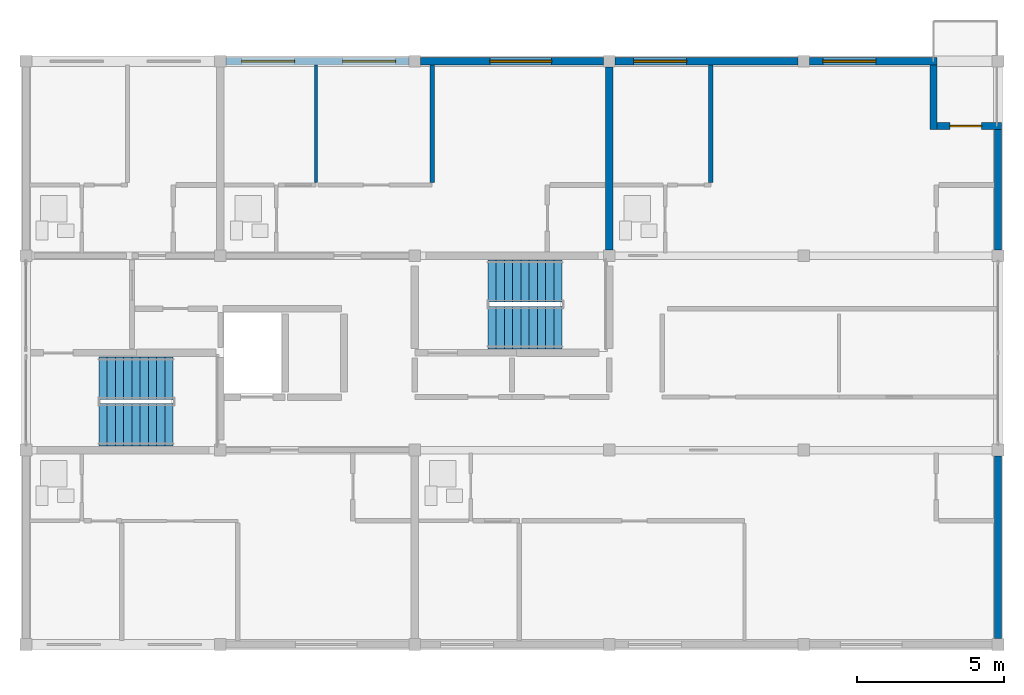
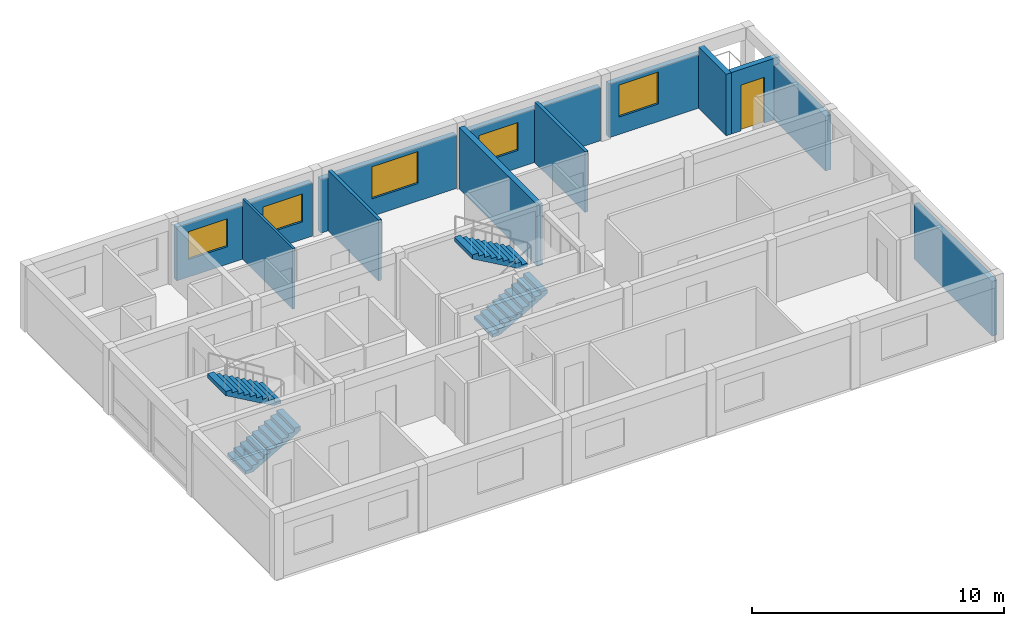
# One storey, part 10 of 12: 12 walls, 5 windows, 4 stair flights, 1 door, 6 openings, 2 elements without a shape of their own.
"""IFC4 building model written with IfcOpenShell, lengths in metres."""

from ifc_helpers import new_model, si_unit, direction, frame, frame_2d, origin, place, context, subcontext, project, spatial, polyline, rectangle, outline, extrude, material, layer, layer_set, type_object, element, fill, aggregate, save


model = new_model("IFC4")

# Units and contexts
model_context = context("Model", 3, precision=1e-05, world=origin(), true_north=direction((0.0, 1.0)))
body_context = subcontext(model_context, "Body", "Model", "MODEL_VIEW")
ifc_project = project(units=[si_unit("LENGTHUNIT", "METRE"), si_unit("AREAUNIT", "SQUARE_METRE"), si_unit("VOLUMEUNIT", "CUBIC_METRE"), si_unit("PLANEANGLEUNIT", "RADIAN"), si_unit("MASSUNIT", "GRAM", prefix="KILO")], contexts=[model_context])

# Site, building, storey
site_placement = place(None, origin())
site = spatial("IfcSite", under=ifc_project, at=site_placement, CompositionType="ELEMENT")
building_placement = place(site_placement, origin())
building = spatial("IfcBuilding", under=site, at=building_placement, Name="Kernevlak Ridge Housing Community", CompositionType="ELEMENT")
storey_placement = place(building_placement, frame((0.0, 0.0, 53.199951171875)))
storey = spatial("IfcBuildingStorey", under=building, at=storey_placement, Name="L16", CompositionType="ELEMENT", Elevation=53.199951171875)

# Wall, openings, windows
ifc_material_1 = material(Name="Concrete block masonry M10", Category="masonry")
ifc_layer_1 = layer(ifc_material_1, 0.239990234375, Name="Concrete block masonry M10")
ifc_layer_set_1 = layer_set([ifc_layer_1], Name="Concrete block masonry M10")
wall_type_1 = type_object("IfcWallType", Name="EW-06", PredefinedType="STANDARD", material=ifc_layer_set_1)
wall_1_placement = place(storey_placement, frame((22.39990234375, 95.800048828125, 0.0), z_axis=(0.0, 0.0, 1.0), x_axis=(1.0, 0.0, 0.0)))
wall_1 = element("IfcWall", 1, at=wall_1_placement, inside=storey, type_object=wall_type_1, Name="Exterior wall EW-06 L16 259", PredefinedType="STANDARD", context=body_context, shape_type="SweptSolid", body=[
    extrude(rectangle(XDim=6.2001953125, YDim=0.239990234375, at=frame_2d((3.10009765625, 0.0))), origin(), (0.0, 0.0, 1.0), 2.60009765625),
])
opening_1_placement = place(wall_1_placement, frame((0.52490234375, 0.0, 0.85009765625)))
opening_1 = element("IfcOpeningElement", 2, at=opening_1_placement, cuts=wall_1, Name="Opening WT-03", PredefinedType="OPENING", context=body_context, shape_type="SweptSolid", body=[
    extrude(rectangle(XDim=1.800048828125, YDim=1.35009765625, at=frame_2d((0.89990234375, 0.675048828125))), frame((0.0, 0.1298828125, 0.0), z_axis=(0.0, -1.0, 0.0), x_axis=(1.0, 0.0, 0.0)), (0.0, 0.0, 1.0), 0.260009765625),
])
opening_2_placement = place(wall_1_placement, frame((3.949951171875, 0.0, 0.85009765625)))
opening_2 = element("IfcOpeningElement", 3, at=opening_2_placement, cuts=wall_1, Name="Opening WT-03", PredefinedType="OPENING", context=body_context, shape_type="SweptSolid", body=[
    extrude(rectangle(XDim=1.800048828125, YDim=1.35009765625, at=frame_2d((0.89990234375, 0.675048828125))), frame((0.0, 0.1298828125, 0.0), z_axis=(0.0, -1.0, 0.0), x_axis=(1.0, 0.0, 0.0)), (0.0, 0.0, 1.0), 0.260009765625),
])
ifc_material_2 = material(Name="Aluminium EN AW-6060 anodised and laminated glass", Category="aluminium")
window_type_1 = type_object("IfcWindowType", Name="WT-03", PartitioningType="SINGLE_PANEL", PredefinedType="WINDOW", material=ifc_material_2)
window_1_placement = place(opening_1_placement, origin())
window_1 = element("IfcWindow", 4, at=window_1_placement, inside=storey, type_object=window_type_1, Name="Window WT-03 L16 208", OverallHeight=1.35009765625, OverallWidth=1.800048828125, PartitioningType="SINGLE_PANEL", PredefinedType="WINDOW", context=body_context, shape_type="SweptSolid", body=[
    extrude(rectangle(XDim=1.800048828125, YDim=1.35009765625, at=frame_2d((0.89990234375, 0.675048828125))), frame((0.0, 0.030029296875, 0.0), z_axis=(0.0, -1.0, 0.0), x_axis=(1.0, 0.0, 0.0)), (0.0, 0.0, 1.0), 0.06005859375),
])
fill(opening_1, window_1)
window_2_placement = place(opening_2_placement, origin())
window_2 = element("IfcWindow", 5, at=window_2_placement, inside=storey, type_object=window_type_1, Name="Window WT-03 L16 209", OverallHeight=1.35009765625, OverallWidth=1.800048828125, PartitioningType="SINGLE_PANEL", PredefinedType="WINDOW", context=body_context, shape_type="SweptSolid", body=[
    extrude(rectangle(XDim=1.800048828125, YDim=1.35009765625, at=frame_2d((0.89990234375, 0.675048828125))), frame((0.0, 0.030029296875, 0.0), z_axis=(0.0, -1.0, 0.0), x_axis=(1.0, 0.0, 0.0)), (0.0, 0.0, 1.0), 0.06005859375),
])
fill(opening_2, window_2)

# Wall, opening, window
wall_2_placement = place(storey_placement, frame((29.0, 95.800048828125, 0.0), z_axis=(0.0, 0.0, 1.0), x_axis=(1.0, 0.0, 0.0)))
wall_2 = element("IfcWall", 6, at=wall_2_placement, inside=storey, type_object=wall_type_1, Name="Exterior wall EW-06 L16 260", PredefinedType="STANDARD", context=body_context, shape_type="SweptSolid", body=[
    extrude(rectangle(XDim=6.199951171875, YDim=0.239990234375, at=frame_2d((3.10009765625, 0.0))), origin(), (0.0, 0.0, 1.0), 2.60009765625),
])
opening_3_placement = place(wall_2_placement, frame((2.345947265625, 0.0, 0.85009765625)))
opening_3 = element("IfcOpeningElement", 7, at=opening_3_placement, cuts=wall_2, Name="Opening WT-05", PredefinedType="OPENING", context=body_context, shape_type="SweptSolid", body=[
    extrude(rectangle(XDim=2.10009765625, YDim=1.550048828125, at=frame_2d((1.050048828125, 0.77490234375))), frame((0.0, 0.1298828125, 0.0), z_axis=(0.0, -1.0, 0.0), x_axis=(1.0, 0.0, 0.0)), (0.0, 0.0, 1.0), 0.260009765625),
])
window_type_2 = type_object("IfcWindowType", Name="WT-05", PartitioningType="SINGLE_PANEL", PredefinedType="WINDOW", material=ifc_material_2)
window_3_placement = place(opening_3_placement, origin())
window_3 = element("IfcWindow", 8, at=window_3_placement, inside=storey, type_object=window_type_2, Name="Window WT-05 L16 210", OverallHeight=1.550048828125, OverallWidth=2.10009765625, PartitioningType="SINGLE_PANEL", PredefinedType="WINDOW", context=body_context, shape_type="SweptSolid", body=[
    extrude(rectangle(XDim=2.10009765625, YDim=1.550048828125, at=frame_2d((1.050048828125, 0.77490234375))), frame((0.0, 0.030029296875, 0.0), z_axis=(0.0, -1.0, 0.0), x_axis=(1.0, 0.0, 0.0)), (0.0, 0.0, 1.0), 0.06005859375),
])
fill(opening_3, window_3)

wall_3_placement = place(storey_placement, frame((35.60009765625, 95.800048828125, 0.0), z_axis=(0.0, 0.0, 1.0), x_axis=(1.0, 0.0, 0.0)))
wall_3 = element("IfcWall", 9, at=wall_3_placement, inside=storey, type_object=wall_type_1, Name="Exterior wall EW-06 L16 261", PredefinedType="STANDARD", context=body_context, shape_type="SweptSolid", body=[
    extrude(rectangle(XDim=6.199951171875, YDim=0.239990234375, at=frame_2d((3.10009765625, 0.0))), origin(), (0.0, 0.0, 1.0), 2.60009765625),
])
opening_4_placement = place(wall_3_placement, frame((0.625, 0.0, 0.85009765625)))
opening_4 = element("IfcOpeningElement", 10, at=opening_4_placement, cuts=wall_3, Name="Opening WT-03", PredefinedType="OPENING", context=body_context, shape_type="SweptSolid", body=[
    extrude(rectangle(XDim=1.800048828125, YDim=1.35009765625, at=frame_2d((0.89990234375, 0.675048828125))), frame((0.0, 0.1298828125, 0.0), z_axis=(0.0, -1.0, 0.0), x_axis=(1.0, 0.0, 0.0)), (0.0, 0.0, 1.0), 0.260009765625),
])
window_4_placement = place(opening_4_placement, origin())
window_4 = element("IfcWindow", 11, at=window_4_placement, inside=storey, type_object=window_type_1, Name="Window WT-03 L16 211", OverallHeight=1.35009765625, OverallWidth=1.800048828125, PartitioningType="SINGLE_PANEL", PredefinedType="WINDOW", context=body_context, shape_type="SweptSolid", body=[
    extrude(rectangle(XDim=1.800048828125, YDim=1.35009765625, at=frame_2d((0.89990234375, 0.675048828125))), frame((0.0, 0.030029296875, 0.0), z_axis=(0.0, -1.0, 0.0), x_axis=(1.0, 0.0, 0.0)), (0.0, 0.0, 1.0), 0.06005859375),
])
fill(opening_4, window_4)

wall_4_placement = place(storey_placement, frame((42.199951171875, 95.800048828125, 0.0), z_axis=(0.0, 0.0, 1.0), x_axis=(1.0, 0.0, 0.0)))
wall_4 = element("IfcWall", 12, at=wall_4_placement, inside=storey, type_object=wall_type_1, Name="Exterior wall EW-06 L16 262", PredefinedType="STANDARD", context=body_context, shape_type="SweptSolid", body=[
    extrude(rectangle(XDim=4.320068359375, YDim=0.239990234375, at=frame_2d((2.16015625, 0.0))), origin(), (0.0, 0.0, 1.0), 2.60009765625),
])
opening_5_placement = place(wall_4_placement, frame((0.449951171875, 0.0, 0.85009765625)))
opening_5 = element("IfcOpeningElement", 13, at=opening_5_placement, cuts=wall_4, Name="Opening WT-04", PredefinedType="OPENING", context=body_context, shape_type="SweptSolid", body=[
    extrude(rectangle(XDim=1.800048828125, YDim=1.550048828125, at=frame_2d((0.89990234375, 0.77490234375))), frame((0.0, 0.1298828125, 0.0), z_axis=(0.0, -1.0, 0.0), x_axis=(1.0, 0.0, 0.0)), (0.0, 0.0, 1.0), 0.260009765625),
])
window_type_3 = type_object("IfcWindowType", Name="WT-04", PartitioningType="SINGLE_PANEL", PredefinedType="WINDOW", material=ifc_material_2)
window_5_placement = place(opening_5_placement, origin())
window_5 = element("IfcWindow", 14, at=window_5_placement, inside=storey, type_object=window_type_3, Name="Window WT-04 L16 212", OverallHeight=1.550048828125, OverallWidth=1.800048828125, PartitioningType="SINGLE_PANEL", PredefinedType="WINDOW", context=body_context, shape_type="SweptSolid", body=[
    extrude(rectangle(XDim=1.800048828125, YDim=1.550048828125, at=frame_2d((0.89990234375, 0.77490234375))), frame((0.0, 0.030029296875, 0.0), z_axis=(0.0, -1.0, 0.0), x_axis=(1.0, 0.0, 0.0)), (0.0, 0.0, 1.0), 0.06005859375),
])
fill(opening_5, window_5)

# Wall
wall_5_placement = place(storey_placement, frame((46.39990234375, 95.679931640625, 0.0), z_axis=(0.0, 0.0, 1.0), x_axis=(0.0, -1.0, 0.0)))
element("IfcWall", 15, at=wall_5_placement, inside=storey, type_object=wall_type_1, Name="Exterior wall EW-06 L16 263", PredefinedType="STANDARD", context=body_context, shape_type="SweptSolid", body=[
    extrude(rectangle(XDim=2.199951171875, YDim=0.239990234375, at=frame_2d((1.10009765625, 0.0))), origin(), (0.0, 0.0, 1.0), 2.97998046875),
])

# Wall, opening, door
wall_6_placement = place(storey_placement, frame((46.52001953125, 93.60009765625, 0.0), z_axis=(0.0, 0.0, 1.0), x_axis=(1.0, 0.0, 0.0)))
wall_6 = element("IfcWall", 16, at=wall_6_placement, inside=storey, type_object=wall_type_1, Name="Exterior wall EW-06 L16 264", PredefinedType="STANDARD", context=body_context, shape_type="SweptSolid", body=[
    extrude(rectangle(XDim=2.199951171875, YDim=0.239990234375, at=frame_2d((1.10009765625, 0.0))), origin(), (0.0, 0.0, 1.0), 2.97998046875),
])
opening_6_placement = place(wall_6_placement, frame((0.43994140625, 0.0, 0.0)))
opening_6 = element("IfcOpeningElement", 17, at=opening_6_placement, cuts=wall_6, Name="Opening D542", PredefinedType="OPENING", context=body_context, shape_type="SweptSolid", body=[
    extrude(rectangle(XDim=1.080078125, YDim=2.219970703125, at=frame_2d((0.5400390625, 1.10986328125))), frame((0.0, 0.1298828125, 0.0), z_axis=(0.0, -1.0, 0.0), x_axis=(1.0, 0.0, 0.0)), (0.0, 0.0, 1.0), 0.260009765625),
])
ifc_material_3 = material(Name="Aluminium EN AW-6060 and laminated safety glass", Category="aluminium")
door_type = type_object("IfcDoorType", Name="DT-34", OperationType="NOTDEFINED", PredefinedType="DOOR", material=ifc_material_3)
door_placement = place(opening_6_placement, origin())
door = element("IfcDoor", 18, at=door_placement, inside=storey, type_object=door_type, Name="Flat A1623 corner balcony glazed door D542", OperationType="SINGLE_SWING_RIGHT", OverallHeight=2.219970703125, OverallWidth=1.080078125, PredefinedType="DOOR", context=body_context, shape_type="SweptSolid", body=[
    extrude(rectangle(XDim=1.080078125, YDim=2.219970703125, at=frame_2d((0.5400390625, 1.10986328125))), frame((0.0, 0.02490234375, 0.0), z_axis=(0.0, -1.0, 0.0), x_axis=(1.0, 0.0, 0.0)), (0.0, 0.0, 1.0), 0.050048828125),
])
fill(opening_6, door)

# Walls
wall_7_placement = place(storey_placement, frame((48.60009765625, 76.199951171875, 0.0), z_axis=(0.0, 0.0, 1.0), x_axis=(0.0, 1.0, 0.0)))
element("IfcWall", 19, at=wall_7_placement, inside=storey, type_object=wall_type_1, Name="Exterior wall EW-06 L16 267", PredefinedType="STANDARD", context=body_context, shape_type="SweptSolid", body=[
    extrude(rectangle(XDim=6.199951171875, YDim=0.239990234375, at=frame_2d((3.10009765625, 0.0))), origin(), (0.0, 0.0, 1.0), 2.650146484375),
])
wall_8_placement = place(storey_placement, frame((48.60009765625, 89.39990234375, 0.0), z_axis=(0.0, 0.0, 1.0), x_axis=(0.0, 1.0, 0.0)))
element("IfcWall", 20, at=wall_8_placement, inside=storey, type_object=wall_type_1, Name="Exterior wall EW-06 L16 268", PredefinedType="STANDARD", context=body_context, shape_type="SweptSolid", body=[
    extrude(rectangle(XDim=4.080078125, YDim=0.239990234375, at=frame_2d((2.0400390625, 0.0))), origin(), (0.0, 0.0, 1.0), 2.650146484375),
])
ifc_layer_2 = layer(ifc_material_1, 0.14501953125, Name="Concrete block masonry M10")
ifc_layer_set_2 = layer_set([ifc_layer_2], Name="Concrete block masonry M10")
wall_type_2 = type_object("IfcWallType", Name="PW-03", PredefinedType="PARTITIONING", material=ifc_layer_set_2)
for number, where, z_axis, x_axis, name in (
    (21, (29.39208984375, 91.6826171875, 0.0), (0.0, 0.0, 1.0), (0.0, 1.0, 0.0), "Interior wall PW-03 WAL-INT-L16-1063"),
    (22, (38.85009765625, 91.6826171875, 0.0), (0.0, 0.0, 1.0), (0.0, 1.0, 0.0), "Interior wall PW-03 WAL-INT-L16-1070"),
):
    element("IfcWall", number, at=place(storey_placement, frame(where, z_axis=z_axis, x_axis=x_axis)), inside=storey, type_object=wall_type_2, Name=name, PredefinedType="PARTITIONING", context=body_context, shape_type="SweptSolid", body=[
        extrude(rectangle(XDim=3.9873046875, YDim=0.14501953125, at=frame_2d((1.99365234375, 0.0))), origin(), (0.0, 0.0, 1.0), 2.945068359375),
    ])
ifc_material_4 = material(Name="Gypsum plasterboard EN 520", Category="gypsum")
ifc_layer_3 = layer(ifc_material_4, 0.10498046875, Name="Gypsum plasterboard EN 520")
ifc_layer_set_3 = layer_set([ifc_layer_3], Name="Gypsum plasterboard EN 520")
wall_type_3 = type_object("IfcWallType", Name="PW-06", PredefinedType="PARTITIONING", material=ifc_layer_set_3)
wall_9_placement = place(storey_placement, frame((25.449951171875, 91.6826171875, 0.0), z_axis=(0.0, 0.0, 1.0), x_axis=(0.0, 1.0, 0.0)))
element("IfcWall", 23, at=wall_9_placement, inside=storey, type_object=wall_type_3, Name="Interior wall PW-06 WAL-INT-L16-1061", PredefinedType="PARTITIONING", context=body_context, shape_type="SweptSolid", body=[
    extrude(rectangle(XDim=3.9873046875, YDim=0.10498046875, at=frame_2d((1.99365234375, 0.0))), origin(), (0.0, 0.0, 1.0), 2.945068359375),
])
ifc_material_5 = material(Name="Concrete C40/50", Category="concrete")
ifc_layer_4 = layer(ifc_material_5, 0.25, Name="Concrete C40/50")
ifc_layer_set_4 = layer_set([ifc_layer_4], Name="Concrete C40/50")
wall_type_4 = type_object("IfcWallType", Name="SW-03", PredefinedType="SHEAR", material=ifc_layer_set_4)
wall_10_placement = place(storey_placement, frame((35.39990234375, 89.39990234375, 0.0), z_axis=(0.0, 0.0, 1.0), x_axis=(0.0, 1.0, 0.0)))
element("IfcWall", 24, at=wall_10_placement, inside=storey, type_object=wall_type_4, Name="Shear wall SW-03 Block A L16 180", PredefinedType="SHEAR", context=body_context, shape_type="SweptSolid", body=[
    extrude(rectangle(XDim=6.2001953125, YDim=0.25, at=frame_2d((3.10009765625, 0.0))), origin(), (0.0, 0.0, 1.0), 2.97998046875),
])

# Stair, stair flights
ifc_material_6 = material(Name="Concrete C35/45", Category="concrete")
stair_type = type_object("IfcStairType", Name="SR-06", PredefinedType="HALF_TURN_STAIR", material=ifc_material_6)
stair_1_placement = place(storey_placement, origin())
stair_1 = element("IfcStair", 25, at=stair_1_placement, inside=storey, type_object=stair_type, Name="Stair ST-A1 L16", PredefinedType="HALF_TURN_STAIR")
stair_flight_type = type_object("IfcStairFlightType", Name="SF-06", PredefinedType="STRAIGHT", material=ifc_material_6)
stair_flight_1_placement = place(storey_placement, frame((18.080078125, 83.4599609375, 0.0), z_axis=(0.0, 0.0, 1.0), x_axis=(1.0, 0.0, 0.0)))
stair_flight_1 = element("IfcStairFlight", 26, at=stair_flight_1_placement, type_object=stair_flight_type, Name="SR-06 flight 1", NumberOfRisers=10, NumberOfTreads=9, PredefinedType="STRAIGHT", RiserHeight=0.16, TreadLength=0.28, context=body_context, shape_type="SweptSolid", body=[
    extrude(outline(polyline([(0.0, 0.0), (0.0, 0.159912109375), (0.280029296875, 0.159912109375), (0.280029296875, 0.320068359375), (0.56005859375, 0.320068359375), (0.56005859375, 0.47998046875), (0.840087890625, 0.47998046875), (0.840087890625, 0.639892578125), (1.1201171875, 0.639892578125), (1.1201171875, 0.800048828125), (1.39990234375, 0.800048828125), (1.39990234375, 0.9599609375), (1.679931640625, 0.9599609375), (1.679931640625, 1.1201171875), (1.9599609375, 1.1201171875), (1.9599609375, 1.280029296875), (2.239990234375, 1.280029296875), (2.239990234375, 1.43994140625), (2.52001953125, 1.43994140625), (2.52001953125, 1.60009765625), (2.52001953125, 1.244384765625), (0.342529296875, 0.0), (0.0, 0.0)])), frame((0.0, 0.719970703125, 0.0), z_axis=(0.0, -1.0, 0.0), x_axis=(1.0, 0.0, 0.0)), (0.0, 0.0, 1.0), 1.43994140625),
])
stair_flight_2_placement = place(storey_placement, frame((20.60009765625, 85.0400390625, 1.60009765625), z_axis=(0.0, 0.0, 1.0), x_axis=(-1.0, 0.0, 0.0)))
stair_flight_2 = element("IfcStairFlight", 27, at=stair_flight_2_placement, type_object=stair_flight_type, Name="SR-06 flight 2", NumberOfRisers=10, NumberOfTreads=9, PredefinedType="STRAIGHT", RiserHeight=0.16, TreadLength=0.28, context=body_context, shape_type="SweptSolid", body=[
    extrude(outline(polyline([(0.0, 0.0), (0.0, 0.159912109375), (0.280029296875, 0.159912109375), (0.280029296875, 0.320068359375), (0.56005859375, 0.320068359375), (0.56005859375, 0.47998046875), (0.840087890625, 0.47998046875), (0.840087890625, 0.639892578125), (1.1201171875, 0.639892578125), (1.1201171875, 0.800048828125), (1.39990234375, 0.800048828125), (1.39990234375, 0.9599609375), (1.679931640625, 0.9599609375), (1.679931640625, 1.1201171875), (1.9599609375, 1.1201171875), (1.9599609375, 1.280029296875), (2.239990234375, 1.280029296875), (2.239990234375, 1.43994140625), (2.52001953125, 1.43994140625), (2.52001953125, 1.60009765625), (2.52001953125, 1.244384765625), (0.342529296875, 0.0), (0.0, 0.0)])), frame((0.0, 0.719970703125, 0.0), z_axis=(0.0, -1.0, 0.0), x_axis=(1.0, 0.0, 0.0)), (0.0, 0.0, 1.0), 1.43994140625),
])
aggregate(stair_1, [stair_flight_1, stair_flight_2])

stair_2_placement = place(storey_placement, origin())
stair_2 = element("IfcStair", 28, at=stair_2_placement, inside=storey, type_object=stair_type, Name="Stair ST-A2 L16", PredefinedType="HALF_TURN_STAIR")
stair_flight_3_placement = place(storey_placement, frame((31.280029296875, 86.760009765625, 0.0), z_axis=(0.0, 0.0, 1.0), x_axis=(1.0, 0.0, 0.0)))
stair_flight_3 = element("IfcStairFlight", 29, at=stair_flight_3_placement, type_object=stair_flight_type, Name="SR-06 flight 1", NumberOfRisers=10, NumberOfTreads=9, PredefinedType="STRAIGHT", RiserHeight=0.16, TreadLength=0.28, context=body_context, shape_type="SweptSolid", body=[
    extrude(outline(polyline([(0.0, 0.0), (0.0, 0.159912109375), (0.280029296875, 0.159912109375), (0.280029296875, 0.320068359375), (0.56005859375, 0.320068359375), (0.56005859375, 0.47998046875), (0.840087890625, 0.47998046875), (0.840087890625, 0.639892578125), (1.1201171875, 0.639892578125), (1.1201171875, 0.800048828125), (1.39990234375, 0.800048828125), (1.39990234375, 0.9599609375), (1.679931640625, 0.9599609375), (1.679931640625, 1.1201171875), (1.9599609375, 1.1201171875), (1.9599609375, 1.280029296875), (2.239990234375, 1.280029296875), (2.239990234375, 1.43994140625), (2.52001953125, 1.43994140625), (2.52001953125, 1.60009765625), (2.52001953125, 1.244384765625), (0.342529296875, 0.0), (0.0, 0.0)])), frame((0.0, 0.719970703125, 0.0), z_axis=(0.0, -1.0, 0.0), x_axis=(1.0, 0.0, 0.0)), (0.0, 0.0, 1.0), 1.43994140625),
])
stair_flight_4_placement = place(storey_placement, frame((33.800048828125, 88.340087890625, 1.60009765625), z_axis=(0.0, 0.0, 1.0), x_axis=(-1.0, 0.0, 0.0)))
stair_flight_4 = element("IfcStairFlight", 30, at=stair_flight_4_placement, type_object=stair_flight_type, Name="SR-06 flight 2", NumberOfRisers=10, NumberOfTreads=9, PredefinedType="STRAIGHT", RiserHeight=0.16, TreadLength=0.28, context=body_context, shape_type="SweptSolid", body=[
    extrude(outline(polyline([(0.0, 0.0), (0.0, 0.159912109375), (0.280029296875, 0.159912109375), (0.280029296875, 0.320068359375), (0.56005859375, 0.320068359375), (0.56005859375, 0.47998046875), (0.840087890625, 0.47998046875), (0.840087890625, 0.639892578125), (1.1201171875, 0.639892578125), (1.1201171875, 0.800048828125), (1.39990234375, 0.800048828125), (1.39990234375, 0.9599609375), (1.679931640625, 0.9599609375), (1.679931640625, 1.1201171875), (1.9599609375, 1.1201171875), (1.9599609375, 1.280029296875), (2.239990234375, 1.280029296875), (2.239990234375, 1.43994140625), (2.52001953125, 1.43994140625), (2.52001953125, 1.60009765625), (2.52001953125, 1.244384765625), (0.342529296875, 0.0), (0.0, 0.0)])), frame((0.0, 0.719970703125, 0.0), z_axis=(0.0, -1.0, 0.0), x_axis=(1.0, 0.0, 0.0)), (0.0, 0.0, 1.0), 1.43994140625),
])
aggregate(stair_2, [stair_flight_3, stair_flight_4])

save(model, "model.ifc")
